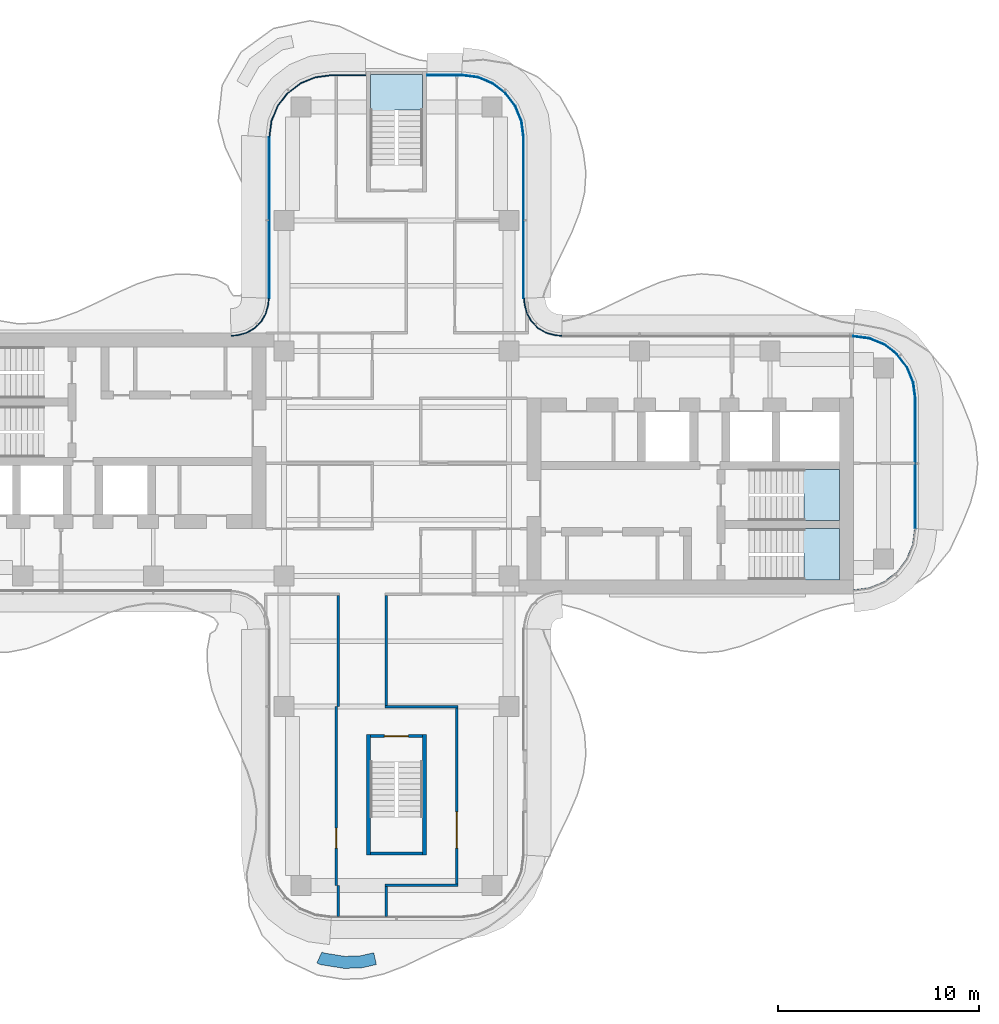
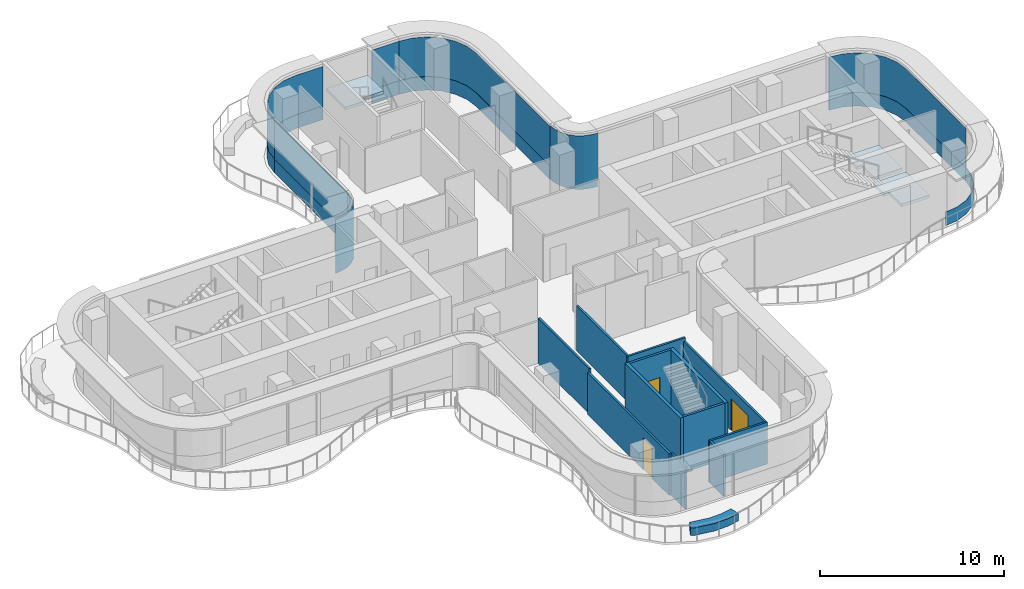
# One storey, part 10 of 16: 13 plates, 13 walls, 3 doors, 3 slabs, 3 openings, 11 elements without a shape of their own.
"""IFC4 building model written with IfcOpenShell, lengths in metres."""

from ifc_helpers import new_model, si_unit, direction, frame, frame_2d, origin, place, context, subcontext, project, spatial, polyline, rectangle, outline, extrude, source, transform, mapped, material, layer, layer_set, type_object, element, fill, aggregate, save


model = new_model("IFC4")

# Units and contexts
model_context = context("Model", 3, precision=1e-05, world=origin(), true_north=direction((0.0, 1.0)))
body_context = subcontext(model_context, "Body", "Model", "MODEL_VIEW")
ifc_project = project(units=[si_unit("LENGTHUNIT", "METRE"), si_unit("AREAUNIT", "SQUARE_METRE"), si_unit("VOLUMEUNIT", "CUBIC_METRE"), si_unit("PLANEANGLEUNIT", "RADIAN"), si_unit("MASSUNIT", "GRAM", prefix="KILO")], contexts=[model_context])

# Site, building, storey
site_placement = place(None, origin())
site = spatial("IfcSite", under=ifc_project, at=site_placement, CompositionType="ELEMENT")
building_placement = place(site_placement, origin())
building = spatial("IfcBuilding", under=site, at=building_placement, Name="Trellis Farm Tower", CompositionType="ELEMENT")
storey_placement = place(building_placement, frame((0.0, 0.0, 318.39990234375)))
storey = spatial("IfcBuildingStorey", under=building, at=storey_placement, Name="L72", CompositionType="ELEMENT", Elevation=318.39990234375)

# Stair, slab
ifc_material_1 = material(Name="Concrete C50/60", Category="concrete")
stair_type = type_object("IfcStairType", Name="CORE EXIT STAIR 22 RISERS 177 MM", PredefinedType="HALF_TURN_STAIR", material=ifc_material_1)
placement_1 = place(storey_placement, origin())
stair_1 = element("IfcStair", 1, at=placement_1, inside=storey, type_object=stair_type, Name="Exit stair N", PredefinedType="HALF_TURN_STAIR")
ifc_layer_1 = layer(ifc_material_1, 0.18994140625)
ifc_layer_set_1 = layer_set([ifc_layer_1], Name="CORE STAIR LANDING 190 CONCRETE C50/60")
slab_type = type_object("IfcSlabType", Name="CORE STAIR LANDING 190 CONCRETE C50/60", PredefinedType="LANDING", material=ifc_layer_set_1)
shared_shape_1 = source(origin(), body_context, "Body", "SweptSolid", [
    extrude(outline(polyline([(-0.10009765625, 17.27197265625), (-1.300048828125, 17.27197265625), (-1.300048828125, 17.60009765625), (-1.300048828125, 19.35009765625), (1.300048828125, 19.35009765625), (1.300048828125, 17.60009765625), (1.300048828125, 17.590087890625), (0.10009765625, 17.590087890625), (0.10009765625, 17.60009765625), (-0.10009765625, 17.60009765625), (-0.10009765625, 17.27197265625)])), origin(), (0.0, 0.0, 1.0), 0.190185546875),
])
placement_2 = place(storey_placement, frame((0.0, 0.0, 1.760009765625)))
slab_1 = element("IfcSlab", 2, at=placement_2, type_object=slab_type, Name="STN landing 1", PredefinedType="LANDING", context=body_context, shape_type="MappedRepresentation", body=[
    mapped(shared_shape_1, transform((0.0, 0.0, 0.0))),
])
aggregate(stair_1, [slab_1])

stair_2 = element("IfcStair", 3, at=placement_1, inside=storey, type_object=stair_type, Name="Exit stair E1", PredefinedType="HALF_TURN_STAIR")
shared_shape_2 = source(origin(), body_context, "Body", "SweptSolid", [
    extrude(outline(polyline([(20.2900390625, -5.800048828125), (20.2900390625, -4.60009765625), (20.300048828125, -4.60009765625), (20.300048828125, -4.449951171875), (19.971923828125, -4.449951171875), (19.971923828125, -3.25), (20.300048828125, -3.25), (22.050048828125, -3.25), (22.050048828125, -5.800048828125), (20.300048828125, -5.800048828125), (20.2900390625, -5.800048828125)])), origin(), (0.0, 0.0, 1.0), 0.190185546875),
])
slab_2 = element("IfcSlab", 4, at=placement_2, type_object=slab_type, Name="STE1 landing 1", PredefinedType="LANDING", context=body_context, shape_type="MappedRepresentation", body=[
    mapped(shared_shape_2, transform((0.0, 0.0, 0.0))),
])
aggregate(stair_2, [slab_2])

stair_3 = element("IfcStair", 5, at=placement_1, inside=storey, type_object=stair_type, Name="Exit stair E2", PredefinedType="HALF_TURN_STAIR")
shared_shape_3 = source(origin(), body_context, "Body", "SweptSolid", [
    extrude(outline(polyline([(20.2900390625, -2.85009765625), (20.2900390625, -1.64990234375), (20.300048828125, -1.64990234375), (20.300048828125, -1.5), (19.971923828125, -1.5), (19.971923828125, -0.300048828125), (20.300048828125, -0.300048828125), (22.050048828125, -0.300048828125), (22.050048828125, -2.85009765625), (20.300048828125, -2.85009765625), (20.2900390625, -2.85009765625)])), origin(), (0.0, 0.0, 1.0), 0.190185546875),
])
slab_3 = element("IfcSlab", 6, at=placement_2, type_object=slab_type, Name="STE2 landing 1", PredefinedType="LANDING", context=body_context, shape_type="MappedRepresentation", body=[
    mapped(shared_shape_3, transform((0.0, 0.0, 0.0))),
])
aggregate(stair_3, [slab_3])

# Curtain wall, plate
ifc_material_2 = material(Name="Aluminium and glass curtain wall", Category="aluminium")
ifc_layer_2 = layer(ifc_material_2, 0.166015625)
ifc_layer_set_2 = layer_set([ifc_layer_2], Name="WINTER GARDEN CURTAIN WALL CW3")
curtain_wall_type_1 = type_object("IfcCurtainWallType", Name="WINTER GARDEN CURTAIN WALL CW3", PredefinedType="NOTDEFINED", material=ifc_layer_set_2)
curtain_wall_1 = element("IfcCurtainWall", 7, at=placement_1, inside=storey, type_object=curtain_wall_type_1, Name="CW3 003", PredefinedType="NOTDEFINED")
ifc_material_3 = material(Name="Clear insulated glass", Category="glass")
ifc_layer_3 = layer(ifc_material_3, 0.0458984375)
ifc_layer_set_3 = layer_set([ifc_layer_3], Name="CW3 GLASS PANEL 46")
plate_type_1 = type_object("IfcPlateType", Name="CW3 GLASS PANEL 46", PredefinedType="CURTAIN_PANEL", material=ifc_layer_set_3)
shared_shape_4 = source(origin(), body_context, "Body", "SweptSolid", [
    extrude(outline(polyline([(8.2275390625, 6.3798828125), (8.0078125, 6.394287109375), (7.89208984375, 6.40966796875), (7.462158203125, 6.52490234375), (7.070556640625, 6.7509765625), (6.7509765625, 7.070556640625), (6.52490234375, 7.462158203125), (6.40966796875, 7.89208984375), (6.394287109375, 8.0078125), (6.3798828125, 8.2275390625), (6.333984375, 8.22607421875), (6.3486328125, 8.003173828125), (6.364501953125, 7.883056640625), (6.48193359375, 7.4443359375), (6.714111328125, 7.04248046875), (7.04248046875, 6.714111328125), (7.4443359375, 6.48193359375), (7.883056640625, 6.364501953125), (8.003173828125, 6.3486328125), (8.22607421875, 6.333984375), (8.2275390625, 6.3798828125)])), origin(), (0.0, 0.0, 1.0), 3.550048828125),
])
plate_1 = element("IfcPlate", 8, at=placement_1, type_object=plate_type_1, Name="PL3 003", PredefinedType="CURTAIN_PANEL", context=body_context, shape_type="MappedRepresentation", body=[
    mapped(shared_shape_4, transform((0.0, 0.0, 0.0))),
])
aggregate(curtain_wall_1, [plate_1])

curtain_wall_2 = element("IfcCurtainWall", 9, at=placement_1, inside=storey, type_object=curtain_wall_type_1, Name="CW3 004", PredefinedType="NOTDEFINED")
shared_shape_5 = source(origin(), body_context, "Body", "SweptSolid", [
    extrude(outline(polyline([(-6.3798828125, 8.2275390625), (-6.394287109375, 8.0078125), (-6.40966796875, 7.89208984375), (-6.52490234375, 7.462158203125), (-6.7509765625, 7.070556640625), (-7.070556640625, 6.7509765625), (-7.462158203125, 6.52490234375), (-7.89208984375, 6.40966796875), (-8.0078125, 6.394287109375), (-8.2275390625, 6.3798828125), (-8.22607421875, 6.333984375), (-8.003173828125, 6.3486328125), (-7.883056640625, 6.364501953125), (-7.4443359375, 6.48193359375), (-7.04248046875, 6.714111328125), (-6.714111328125, 7.04248046875), (-6.48193359375, 7.4443359375), (-6.364501953125, 7.883056640625), (-6.3486328125, 8.003173828125), (-6.333984375, 8.22607421875), (-6.3798828125, 8.2275390625)])), origin(), (0.0, 0.0, 1.0), 3.550048828125),
])
plate_2 = element("IfcPlate", 10, at=placement_1, type_object=plate_type_1, Name="PL3 004", PredefinedType="CURTAIN_PANEL", context=body_context, shape_type="MappedRepresentation", body=[
    mapped(shared_shape_5, transform((0.0, 0.0, 0.0))),
])
aggregate(curtain_wall_2, [plate_2])

ifc_layer_4 = layer(ifc_material_2, 0.18994140625)
ifc_layer_set_4 = layer_set([ifc_layer_4], Name="RIBBON CURTAIN WALL CW1")
curtain_wall_type_2 = type_object("IfcCurtainWallType", Name="RIBBON CURTAIN WALL CW1", PredefinedType="NOTDEFINED", material=ifc_layer_set_4)
curtain_wall_3 = element("IfcCurtainWall", 11, at=placement_1, inside=storey, type_object=curtain_wall_type_2, Name="CW1 006", PredefinedType="NOTDEFINED")
ifc_material_4 = material(Name="Sandstone faced insulated panel", Category="masonry")
ifc_layer_5 = layer(ifc_material_4, 0.050048828125)
ifc_layer_set_5 = layer_set([ifc_layer_5], Name="CW1 STONE SPANDREL PANEL 50")
plate_type_2 = type_object("IfcPlateType", Name="CW1 STONE SPANDREL PANEL 50", PredefinedType="CURTAIN_PANEL", material=ifc_layer_set_5)
shared_shape_6 = source(origin(), body_context, "Body", "SweptSolid", [
    extrude(outline(polyline([(22.740234375, -6.35009765625), (23.552001953125, -6.2431640625), (24.29931640625, -5.93359375), (24.941162109375, -5.441162109375), (25.43359375, -4.79931640625), (25.7431640625, -4.052001953125), (25.85009765625, -3.240234375), (25.800048828125, -3.23681640625), (25.6943359375, -4.0390625), (25.389892578125, -4.774169921875), (24.905517578125, -5.405517578125), (24.274169921875, -5.889892578125), (23.5390625, -6.1943359375), (22.73681640625, -6.300048828125), (22.740234375, -6.35009765625)])), origin(), (0.0, 0.0, 1.0), 0.900146484375),
])
plate_3 = element("IfcPlate", 12, at=placement_1, type_object=plate_type_2, Name="PS1 006", PredefinedType="CURTAIN_PANEL", context=body_context, shape_type="MappedRepresentation", body=[
    mapped(shared_shape_6, transform((0.0, 0.0, 0.0))),
])
aggregate(curtain_wall_3, [plate_3])

# Curtain wall, plates
curtain_wall_4 = element("IfcCurtainWall", 13, at=placement_1, inside=storey, type_object=curtain_wall_type_2, Name="CW1 007", PredefinedType="NOTDEFINED")
ifc_layer_6 = layer(ifc_material_3, 0.0400390625)
ifc_layer_set_6 = layer_set([ifc_layer_6], Name="CW1 GLASS PANEL 40")
plate_type_3 = type_object("IfcPlateType", Name="CW1 GLASS PANEL 40", PredefinedType="CURTAIN_PANEL", material=ifc_layer_set_6)
shared_shape_7 = source(origin(), body_context, "Body", "SweptSolid", [
    extrude(outline(polyline([(25.85009765625, -3.240234375), (25.85009765625, 3.240234375), (25.7431640625, 4.052001953125), (25.43359375, 4.79931640625), (24.941162109375, 5.441162109375), (24.29931640625, 5.93359375), (23.552001953125, 6.2431640625), (22.740234375, 6.35009765625), (22.737548828125, 6.31005859375), (23.54150390625, 6.2041015625), (24.279296875, 5.898681640625), (24.91259765625, 5.41259765625), (25.398681640625, 4.779296875), (25.7041015625, 4.04150390625), (25.81005859375, 3.237548828125), (25.81005859375, -3.237548828125), (25.85009765625, -3.240234375)])), origin(), (0.0, 0.0, 1.0), 2.619873046875),
])
placement_3 = place(storey_placement, frame((0.0, 0.0, 0.900146484375)))
plate_4 = element("IfcPlate", 14, at=placement_3, type_object=plate_type_3, Name="PL1 007", PredefinedType="CURTAIN_PANEL", context=body_context, shape_type="MappedRepresentation", body=[
    mapped(shared_shape_7, transform((0.0, 0.0, 0.0))),
])
shared_shape_8 = source(origin(), body_context, "Body", "SweptSolid", [
    extrude(outline(polyline([(25.85009765625, -3.240234375), (25.85009765625, 3.240234375), (25.7431640625, 4.052001953125), (25.43359375, 4.79931640625), (24.941162109375, 5.441162109375), (24.29931640625, 5.93359375), (23.552001953125, 6.2431640625), (22.740234375, 6.35009765625), (22.73681640625, 6.300048828125), (23.5390625, 6.1943359375), (24.274169921875, 5.889892578125), (24.905517578125, 5.405517578125), (25.389892578125, 4.774169921875), (25.6943359375, 4.0390625), (25.800048828125, 3.23681640625), (25.800048828125, -3.23681640625), (25.85009765625, -3.240234375)])), origin(), (0.0, 0.0, 1.0), 0.900146484375),
])
plate_5 = element("IfcPlate", 15, at=placement_1, type_object=plate_type_2, Name="PS1 007", PredefinedType="CURTAIN_PANEL", context=body_context, shape_type="MappedRepresentation", body=[
    mapped(shared_shape_8, transform((0.0, 0.0, 0.0))),
])
aggregate(curtain_wall_4, [plate_4, plate_5])

curtain_wall_5 = element("IfcCurtainWall", 16, at=placement_1, inside=storey, type_object=curtain_wall_type_2, Name="CW1 009", PredefinedType="NOTDEFINED")
shared_shape_9 = source(origin(), body_context, "Body", "SweptSolid", [
    extrude(outline(polyline([(6.35009765625, 8.2265625), (6.35009765625, 16.240234375), (6.2431640625, 17.052001953125), (5.93359375, 17.79931640625), (5.441162109375, 18.441162109375), (4.79931640625, 18.93359375), (4.052001953125, 19.2431640625), (3.240234375, 19.35009765625), (3.237548828125, 19.31005859375), (4.04150390625, 19.2041015625), (4.779296875, 18.898681640625), (5.41259765625, 18.41259765625), (5.898681640625, 17.779296875), (6.2041015625, 17.04150390625), (6.31005859375, 16.237548828125), (6.31005859375, 8.22509765625), (6.35009765625, 8.2265625)])), origin(), (0.0, 0.0, 1.0), 2.619873046875),
])
plate_6 = element("IfcPlate", 17, at=placement_3, type_object=plate_type_3, Name="PL1 009", PredefinedType="CURTAIN_PANEL", context=body_context, shape_type="MappedRepresentation", body=[
    mapped(shared_shape_9, transform((0.0, 0.0, 0.0))),
])
shared_shape_10 = source(origin(), body_context, "Body", "SweptSolid", [
    extrude(outline(polyline([(6.35009765625, 8.2265625), (6.35009765625, 16.240234375), (6.2431640625, 17.052001953125), (5.93359375, 17.79931640625), (5.441162109375, 18.441162109375), (4.79931640625, 18.93359375), (4.052001953125, 19.2431640625), (3.240234375, 19.35009765625), (3.23681640625, 19.300048828125), (4.0390625, 19.1943359375), (4.774169921875, 18.889892578125), (5.405517578125, 18.405517578125), (5.889892578125, 17.774169921875), (6.1943359375, 17.0390625), (6.300048828125, 16.23681640625), (6.300048828125, 8.224853515625), (6.35009765625, 8.2265625)])), origin(), (0.0, 0.0, 1.0), 0.900146484375),
])
plate_7 = element("IfcPlate", 18, at=placement_1, type_object=plate_type_2, Name="PS1 009", PredefinedType="CURTAIN_PANEL", context=body_context, shape_type="MappedRepresentation", body=[
    mapped(shared_shape_10, transform((0.0, 0.0, 0.0))),
])
aggregate(curtain_wall_5, [plate_6, plate_7])

curtain_wall_6 = element("IfcCurtainWall", 19, at=placement_1, inside=storey, type_object=curtain_wall_type_2, Name="CW1 010", PredefinedType="NOTDEFINED")
shared_shape_11 = source(origin(), body_context, "Body", "SweptSolid", [
    extrude(outline(polyline([(3.240234375, 19.35009765625), (1.530029296875, 19.35009765625), (1.530029296875, 19.31005859375), (3.237548828125, 19.31005859375), (3.240234375, 19.35009765625)])), origin(), (0.0, 0.0, 1.0), 2.619873046875),
])
plate_8 = element("IfcPlate", 20, at=placement_3, type_object=plate_type_3, Name="PL1 010", PredefinedType="CURTAIN_PANEL", context=body_context, shape_type="MappedRepresentation", body=[
    mapped(shared_shape_11, transform((0.0, 0.0, 0.0))),
])
shared_shape_12 = source(origin(), body_context, "Body", "SweptSolid", [
    extrude(outline(polyline([(3.240234375, 19.35009765625), (1.530029296875, 19.35009765625), (1.530029296875, 19.300048828125), (3.23681640625, 19.300048828125), (3.240234375, 19.35009765625)])), origin(), (0.0, 0.0, 1.0), 0.900146484375),
])
plate_9 = element("IfcPlate", 21, at=placement_1, type_object=plate_type_2, Name="PS1 010", PredefinedType="CURTAIN_PANEL", context=body_context, shape_type="MappedRepresentation", body=[
    mapped(shared_shape_12, transform((0.0, 0.0, 0.0))),
])
aggregate(curtain_wall_6, [plate_8, plate_9])

curtain_wall_7 = element("IfcCurtainWall", 22, at=placement_1, inside=storey, type_object=curtain_wall_type_2, Name="CW1 011", PredefinedType="NOTDEFINED")
shared_shape_13 = source(origin(), body_context, "Body", "SweptSolid", [
    extrude(outline(polyline([(-1.530029296875, 19.35009765625), (-3.240234375, 19.35009765625), (-4.052001953125, 19.2431640625), (-4.79931640625, 18.93359375), (-5.441162109375, 18.441162109375), (-5.93359375, 17.79931640625), (-6.2431640625, 17.052001953125), (-6.35009765625, 16.240234375), (-6.31005859375, 16.237548828125), (-6.2041015625, 17.04150390625), (-5.898681640625, 17.779296875), (-5.41259765625, 18.41259765625), (-4.779296875, 18.898681640625), (-4.04150390625, 19.2041015625), (-3.237548828125, 19.31005859375), (-1.530029296875, 19.31005859375), (-1.530029296875, 19.35009765625)])), origin(), (0.0, 0.0, 1.0), 2.619873046875),
])
plate_10 = element("IfcPlate", 23, at=placement_3, type_object=plate_type_3, Name="PL1 011", PredefinedType="CURTAIN_PANEL", context=body_context, shape_type="MappedRepresentation", body=[
    mapped(shared_shape_13, transform((0.0, 0.0, 0.0))),
])
shared_shape_14 = source(origin(), body_context, "Body", "SweptSolid", [
    extrude(outline(polyline([(-1.530029296875, 19.35009765625), (-3.240234375, 19.35009765625), (-4.052001953125, 19.2431640625), (-4.79931640625, 18.93359375), (-5.441162109375, 18.441162109375), (-5.93359375, 17.79931640625), (-6.2431640625, 17.052001953125), (-6.35009765625, 16.240234375), (-6.300048828125, 16.23681640625), (-6.1943359375, 17.0390625), (-5.889892578125, 17.774169921875), (-5.405517578125, 18.405517578125), (-4.774169921875, 18.889892578125), (-4.0390625, 19.1943359375), (-3.23681640625, 19.300048828125), (-1.530029296875, 19.300048828125), (-1.530029296875, 19.35009765625)])), origin(), (0.0, 0.0, 1.0), 0.900146484375),
])
plate_11 = element("IfcPlate", 24, at=placement_1, type_object=plate_type_2, Name="PS1 011", PredefinedType="CURTAIN_PANEL", context=body_context, shape_type="MappedRepresentation", body=[
    mapped(shared_shape_14, transform((0.0, 0.0, 0.0))),
])
aggregate(curtain_wall_7, [plate_10, plate_11])

curtain_wall_8 = element("IfcCurtainWall", 25, at=placement_1, inside=storey, type_object=curtain_wall_type_2, Name="CW1 012", PredefinedType="NOTDEFINED")
shared_shape_15 = source(origin(), body_context, "Body", "SweptSolid", [
    extrude(outline(polyline([(-6.35009765625, 16.240234375), (-6.35009765625, 8.2265625), (-6.31005859375, 8.22509765625), (-6.31005859375, 16.237548828125), (-6.35009765625, 16.240234375)])), origin(), (0.0, 0.0, 1.0), 2.619873046875),
])
plate_12 = element("IfcPlate", 26, at=placement_3, type_object=plate_type_3, Name="PL1 012", PredefinedType="CURTAIN_PANEL", context=body_context, shape_type="MappedRepresentation", body=[
    mapped(shared_shape_15, transform((0.0, 0.0, 0.0))),
])
shared_shape_16 = source(origin(), body_context, "Body", "SweptSolid", [
    extrude(outline(polyline([(-6.35009765625, 16.240234375), (-6.35009765625, 8.2265625), (-6.300048828125, 8.224853515625), (-6.300048828125, 16.23681640625), (-6.35009765625, 16.240234375)])), origin(), (0.0, 0.0, 1.0), 0.900146484375),
])
plate_13 = element("IfcPlate", 27, at=placement_1, type_object=plate_type_2, Name="PS1 012", PredefinedType="CURTAIN_PANEL", context=body_context, shape_type="MappedRepresentation", body=[
    mapped(shared_shape_16, transform((0.0, 0.0, 0.0))),
])
aggregate(curtain_wall_8, [plate_12, plate_13])

# Walls
ifc_material_5 = material(Name="Sandstone faced masonry planter", Category="masonry")
ifc_layer_7 = layer(ifc_material_5, 0.60009765625)
ifc_layer_set_7 = layer_set([ifc_layer_7], Name="PLANTER BED 600")
wall_type_1 = type_object("IfcWallType", Name="PLANTER BED 600", PredefinedType="USERDEFINED", material=ifc_layer_set_7)
element("IfcWall", 28, at=placement_1, inside=storey, type_object=wall_type_1, Name="PLANTER bed", ObjectType="PLANTER", PredefinedType="USERDEFINED", context=body_context, shape_type="SweptSolid", body=[
    extrude(outline(polyline([(-2.593505859375, -25.13818359375), (-3.777099609375, -24.948486328125), (-3.96240234375, -24.860595703125), (-3.705078125, -24.318603515625), (-3.597412109375, -24.36962890625), (-2.557861328125, -24.5361328125), (-1.77978515625, -24.504638671875), (-1.129638671875, -24.357421875), (-0.9970703125, -24.942626953125), (-1.700927734375, -25.10205078125), (-2.593505859375, -25.13818359375)])), origin(), (0.0, 0.0, 1.0), 0.5),
])
ifc_layer_8 = layer(ifc_material_1, 0.199951171875)
ifc_layer_set_8 = layer_set([ifc_layer_8], Name="CORE STAIR ENCLOSURE WALL 200 CONCRETE C50/60")
wall_type_2 = type_object("IfcWallType", Name="CORE STAIR ENCLOSURE WALL 200 CONCRETE C50/60", PredefinedType="SHEAR", material=ifc_layer_set_8)
shared_shape_17 = source(origin(), body_context, "Body", "SweptSolid", [
    extrude(rectangle(XDim=6.0, YDim=0.199951171875, at=frame_2d((3.0, 0.0))), origin(), (0.0, 0.0, 1.0), 3.7001953125),
])
for number, where, z_axis, x_axis, name in (
    (29, (1.39990234375, -13.5, 0.0), (0.0, 0.0, 1.0), (0.0, -1.0, 0.0), "Stair enclosure wall"),
    (30, (-1.39990234375, -13.5, 0.0), (0.0, 0.0, 1.0), (0.0, -1.0, 0.0), "Stair enclosure wall"),
):
    element("IfcWall", number, at=place(storey_placement, frame(where, z_axis=z_axis, x_axis=x_axis)), inside=storey, type_object=wall_type_2, Name=name, PredefinedType="SHEAR", context=body_context, shape_type="MappedRepresentation", body=[
        mapped(shared_shape_17, transform((0.0, 0.0, 0.0))),
    ])

# Wall, opening, door
ifc_layer_9 = layer(ifc_material_1, 0.14990234375)
ifc_layer_set_9 = layer_set([ifc_layer_9], Name="CORE STAIR ENCLOSURE WALL 150 CONCRETE C50/60")
wall_type_3 = type_object("IfcWallType", Name="CORE STAIR ENCLOSURE WALL 150 CONCRETE C50/60", PredefinedType="SHEAR", material=ifc_layer_set_9)
shared_shape_18 = source(origin(), body_context, "Body", "SweptSolid", [
    extrude(rectangle(XDim=2.60009765625, YDim=0.14990234375, at=frame_2d((1.300048828125, 0.0))), origin(), (0.0, 0.0, 1.0), 3.7001953125),
])
wall_2_placement = place(storey_placement, frame((1.300048828125, -13.574951171875, 0.0), z_axis=(0.0, 0.0, 1.0), x_axis=(-1.0, 0.0, 0.0)))
wall_2 = element("IfcWall", 31, at=wall_2_placement, inside=storey, type_object=wall_type_3, Name="Stair enclosure wall", PredefinedType="SHEAR", context=body_context, shape_type="MappedRepresentation", body=[
    mapped(shared_shape_18, transform((0.0, 0.0, 0.0))),
])
shared_shape_19 = source(origin(), body_context, "Body", "SweptSolid", [
    extrude(rectangle(XDim=1.199951171875, YDim=2.10009765625, at=frame_2d((0.60009765625, 1.050048828125))), frame((0.0, 0.0849609375, 0.0), z_axis=(0.0, -1.0, 0.0), x_axis=(1.0, 0.0, 0.0)), (0.0, 0.0, 1.0), 0.169921875),
])
opening_1_placement = place(wall_2_placement, frame((0.699951171875, 0.0, 0.0)))
opening_1 = element("IfcOpeningElement", 32, at=opening_1_placement, cuts=wall_2, Name="Opening DC174", PredefinedType="OPENING", context=body_context, shape_type="MappedRepresentation", body=[
    mapped(shared_shape_19, transform((0.0, 0.0, 0.0))),
])
ifc_material_6 = material(Name="Steel", Category="steel")
door_type_1 = type_object("IfcDoorType", Name="CORE FIRE DOOR 1200 X 2100", OperationType="NOTDEFINED", PredefinedType="DOOR", material=ifc_material_6)
shared_shape_20 = source(origin(), body_context, "Body", "SweptSolid", [
    extrude(rectangle(XDim=1.199951171875, YDim=2.10009765625, at=frame_2d((0.60009765625, 1.050048828125))), frame((0.0, 0.02490234375, 0.0), z_axis=(0.0, -1.0, 0.0), x_axis=(1.0, 0.0, 0.0)), (0.0, 0.0, 1.0), 0.050048828125),
])
door_1_placement = place(opening_1_placement, origin())
door_1 = element("IfcDoor", 33, at=door_1_placement, inside=storey, type_object=door_type_1, Name="Core door", OperationType="SINGLE_SWING_RIGHT", OverallHeight=2.10009765625, OverallWidth=1.199951171875, PredefinedType="DOOR", context=body_context, shape_type="MappedRepresentation", body=[
    mapped(shared_shape_20, transform((0.0, 0.0, 0.0))),
])
fill(opening_1, door_1)

# Walls
wall_3_placement = place(storey_placement, frame((1.300048828125, -19.425048828125, 0.0), z_axis=(0.0, 0.0, 1.0), x_axis=(-1.0, 0.0, 0.0)))
element("IfcWall", 34, at=wall_3_placement, inside=storey, type_object=wall_type_3, Name="Stair enclosure wall", PredefinedType="SHEAR", context=body_context, shape_type="MappedRepresentation", body=[
    mapped(shared_shape_18, transform((0.0, 0.0, 0.0))),
])
ifc_material_7 = material(Name="Plasterboard on steel studs, mineral wool", Category="steel")
ifc_layer_10 = layer(ifc_material_7, 0.125)
ifc_layer_set_10 = layer_set([ifc_layer_10], Name="PARTITION 125 STUD EI 60")
wall_type_4 = type_object("IfcWallType", Name="PARTITION 125 STUD EI 60", PredefinedType="PARTITIONING", material=ifc_layer_set_10)
shared_shape_21 = source(origin(), body_context, "Body", "SweptSolid", [
    extrude(rectangle(XDim=5.47509765625, YDim=0.125, at=frame_2d((2.737548828125, 0.0))), origin(), (0.0, 0.0, 1.0), 2.99658203125),
])
wall_4_placement = place(storey_placement, frame((-0.5, -6.5625, 0.0), z_axis=(0.0, 0.0, 1.0), x_axis=(0.0, -1.0, 0.0)))
element("IfcWall", 35, at=wall_4_placement, inside=storey, type_object=wall_type_4, Name="Partition PW1", PredefinedType="PARTITIONING", context=body_context, shape_type="MappedRepresentation", body=[
    mapped(shared_shape_21, transform((0.0, 0.0, 0.0))),
])
shared_shape_22 = source(origin(), body_context, "Body", "SweptSolid", [
    extrude(rectangle(XDim=5.53759765625, YDim=0.125, at=frame_2d((2.768798828125, 0.0))), origin(), (0.0, 0.0, 1.0), 2.99658203125),
])
wall_5_placement = place(storey_placement, frame((-2.89990234375, -12.10009765625, 0.0), z_axis=(0.0, 0.0, 1.0), x_axis=(0.0, 1.0, 0.0)))
element("IfcWall", 36, at=wall_5_placement, inside=storey, type_object=wall_type_4, Name="Partition PW1", PredefinedType="PARTITIONING", context=body_context, shape_type="MappedRepresentation", body=[
    mapped(shared_shape_22, transform((0.0, 0.0, 0.0))),
])
shared_shape_23 = source(origin(), body_context, "Body", "SweptSolid", [
    extrude(rectangle(XDim=3.625, YDim=0.125, at=frame_2d((1.8125, 0.0))), origin(), (0.0, 0.0, 1.0), 2.99658203125),
])
wall_6_placement = place(storey_placement, frame((-0.5625, -12.10009765625, 0.0), z_axis=(0.0, 0.0, 1.0), x_axis=(1.0, 0.0, 0.0)))
element("IfcWall", 37, at=wall_6_placement, inside=storey, type_object=wall_type_4, Name="Partition PW1", PredefinedType="PARTITIONING", context=body_context, shape_type="MappedRepresentation", body=[
    mapped(shared_shape_23, transform((0.0, 0.0, 0.0))),
])

# Wall, opening, door
shared_shape_24 = source(origin(), body_context, "Body", "SweptSolid", [
    extrude(rectangle(XDim=8.77490234375, YDim=0.125, at=frame_2d((4.387451171875, 0.0))), origin(), (0.0, 0.0, 1.0), 2.780029296875),
])
wall_7_placement = place(storey_placement, frame((3.0, -12.16259765625, 0.0), z_axis=(0.0, 0.0, 1.0), x_axis=(0.0, -1.0, 0.0)))
wall_7 = element("IfcWall", 38, at=wall_7_placement, inside=storey, type_object=wall_type_4, Name="Partition PW1", PredefinedType="PARTITIONING", context=body_context, shape_type="MappedRepresentation", body=[
    mapped(shared_shape_24, transform((0.0, 0.0, 0.0))),
])
shared_shape_25 = source(origin(), body_context, "Body", "SweptSolid", [
    extrude(rectangle(XDim=1.800048828125, YDim=2.10009765625, at=frame_2d((0.89990234375, 1.050048828125))), frame((0.0, 0.072509765625, 0.0), z_axis=(0.0, -1.0, 0.0), x_axis=(1.0, 0.0, 0.0)), (0.0, 0.0, 1.0), 0.14501953125),
])
opening_2_placement = place(wall_7_placement, frame((5.1875, 0.0, 0.0)))
opening_2 = element("IfcOpeningElement", 39, at=opening_2_placement, cuts=wall_7, Name="Opening D201", PredefinedType="OPENING", context=body_context, shape_type="MappedRepresentation", body=[
    mapped(shared_shape_25, transform((0.0, 0.0, 0.0))),
])
ifc_material_8 = material(Name="Fire-rated timber door leaf in a hollow metal frame", Category="wood")
door_type_2 = type_object("IfcDoorType", Name="DOOR PAIR 1800x2100 FD30S", OperationType="NOTDEFINED", PredefinedType="DOOR", material=ifc_material_8)
shared_shape_26 = source(origin(), body_context, "Body", "SweptSolid", [
    extrude(rectangle(XDim=1.800048828125, YDim=2.10009765625, at=frame_2d((0.89990234375, 1.050048828125))), frame((0.0, 0.02490234375, 0.0), z_axis=(0.0, -1.0, 0.0), x_axis=(1.0, 0.0, 0.0)), (0.0, 0.0, 1.0), 0.050048828125),
])
door_2_placement = place(opening_2_placement, origin())
door_2 = element("IfcDoor", 40, at=door_2_placement, inside=storey, type_object=door_type_2, Name="Door D201", OperationType="DOUBLE_DOOR_SINGLE_SWING", OverallHeight=2.10009765625, OverallWidth=1.800048828125, PredefinedType="DOOR", context=body_context, shape_type="MappedRepresentation", body=[
    mapped(shared_shape_26, transform((0.0, 0.0, 0.0))),
])
fill(opening_2, door_2)

# Walls
shared_shape_27 = source(origin(), body_context, "Body", "SweptSolid", [
    extrude(rectangle(XDim=1.487548828125, YDim=0.125, at=frame_2d((0.74365234375, 0.0))), origin(), (0.0, 0.0, 1.0), 2.780029296875),
])
wall_8_placement = place(storey_placement, frame((-0.5, -21.0625, 0.0), z_axis=(0.0, 0.0, 1.0), x_axis=(0.0, -1.0, 0.0)))
element("IfcWall", 41, at=wall_8_placement, inside=storey, type_object=wall_type_4, Name="Partition PW1", PredefinedType="PARTITIONING", context=body_context, shape_type="MappedRepresentation", body=[
    mapped(shared_shape_27, transform((0.0, 0.0, 0.0))),
])
shared_shape_28 = source(origin(), body_context, "Body", "SweptSolid", [
    extrude(rectangle(XDim=1.550048828125, YDim=0.125, at=frame_2d((0.77490234375, 0.0))), origin(), (0.0, 0.0, 1.0), 2.780029296875),
])
wall_9_placement = place(storey_placement, frame((-2.89990234375, -22.550048828125, 0.0), z_axis=(0.0, 0.0, 1.0), x_axis=(0.0, 1.0, 0.0)))
element("IfcWall", 42, at=wall_9_placement, inside=storey, type_object=wall_type_4, Name="Partition PW1", PredefinedType="PARTITIONING", context=body_context, shape_type="MappedRepresentation", body=[
    mapped(shared_shape_28, transform((0.0, 0.0, 0.0))),
])

# Wall, opening, door
shared_shape_29 = source(origin(), body_context, "Body", "SweptSolid", [
    extrude(rectangle(XDim=8.89990234375, YDim=0.125, at=frame_2d((4.449951171875, 0.0))), origin(), (0.0, 0.0, 1.0), 2.780029296875),
])
wall_10_placement = place(storey_placement, frame((-3.0, -21.0, 0.0), z_axis=(0.0, 0.0, 1.0), x_axis=(0.0, 1.0, 0.0)))
wall_10 = element("IfcWall", 43, at=wall_10_placement, inside=storey, type_object=wall_type_4, Name="Partition PW1", PredefinedType="PARTITIONING", context=body_context, shape_type="MappedRepresentation", body=[
    mapped(shared_shape_29, transform((0.0, 0.0, 0.0))),
])
shared_shape_30 = source(origin(), body_context, "Body", "SweptSolid", [
    extrude(rectangle(XDim=1.0, YDim=2.10009765625, at=frame_2d((0.5, 1.050048828125))), frame((0.0, 0.072509765625, 0.0), z_axis=(0.0, -1.0, 0.0), x_axis=(1.0, 0.0, 0.0)), (0.0, 0.0, 1.0), 0.14501953125),
])
opening_3_placement = place(wall_10_placement, frame((1.85009765625, 0.0, 0.0)))
opening_3 = element("IfcOpeningElement", 44, at=opening_3_placement, cuts=wall_10, Name="Opening D101", PredefinedType="OPENING", context=body_context, shape_type="MappedRepresentation", body=[
    mapped(shared_shape_30, transform((0.0, 0.0, 0.0))),
])
door_type_3 = type_object("IfcDoorType", Name="DOOR 1000x2100 FD30S", OperationType="NOTDEFINED", PredefinedType="DOOR", material=ifc_material_8)
shared_shape_31 = source(origin(), body_context, "Body", "SweptSolid", [
    extrude(rectangle(XDim=1.0, YDim=2.10009765625, at=frame_2d((0.5, 1.050048828125))), frame((0.0, 0.02490234375, 0.0), z_axis=(0.0, -1.0, 0.0), x_axis=(1.0, 0.0, 0.0)), (0.0, 0.0, 1.0), 0.050048828125),
])
door_3_placement = place(opening_3_placement, origin())
door_3 = element("IfcDoor", 45, at=door_3_placement, inside=storey, type_object=door_type_3, Name="Door D101", OperationType="SINGLE_SWING_LEFT", OverallHeight=2.10009765625, OverallWidth=1.0, PredefinedType="DOOR", context=body_context, shape_type="MappedRepresentation", body=[
    mapped(shared_shape_31, transform((0.0, 0.0, 0.0))),
])
fill(opening_3, door_3)

# Wall
shared_shape_32 = source(origin(), body_context, "Body", "SweptSolid", [
    extrude(rectangle(XDim=3.625, YDim=0.125, at=frame_2d((1.8125, 0.0))), origin(), (0.0, 0.0, 1.0), 2.780029296875),
])
wall_11_placement = place(storey_placement, frame((3.0625, -21.0, 0.0), z_axis=(0.0, 0.0, 1.0), x_axis=(-1.0, 0.0, 0.0)))
element("IfcWall", 46, at=wall_11_placement, inside=storey, type_object=wall_type_4, Name="Partition PW1", PredefinedType="PARTITIONING", context=body_context, shape_type="MappedRepresentation", body=[
    mapped(shared_shape_32, transform((0.0, 0.0, 0.0))),
])

save(model, "model.ifc")
